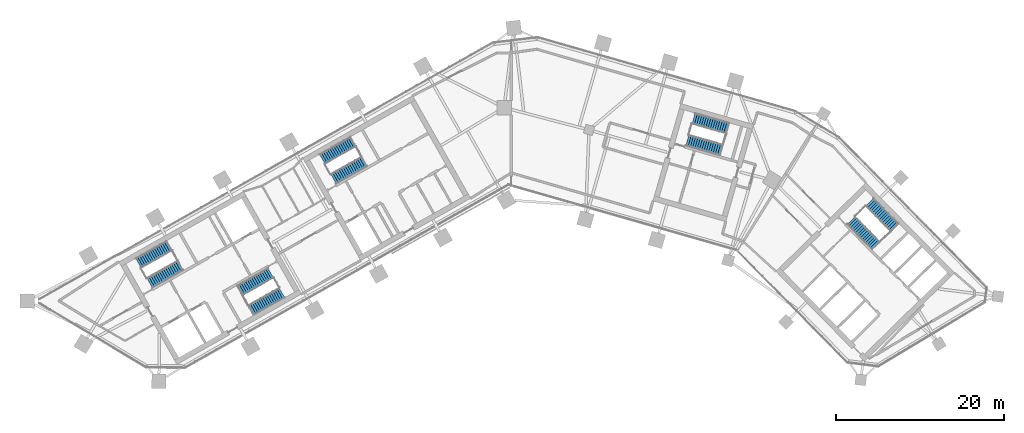
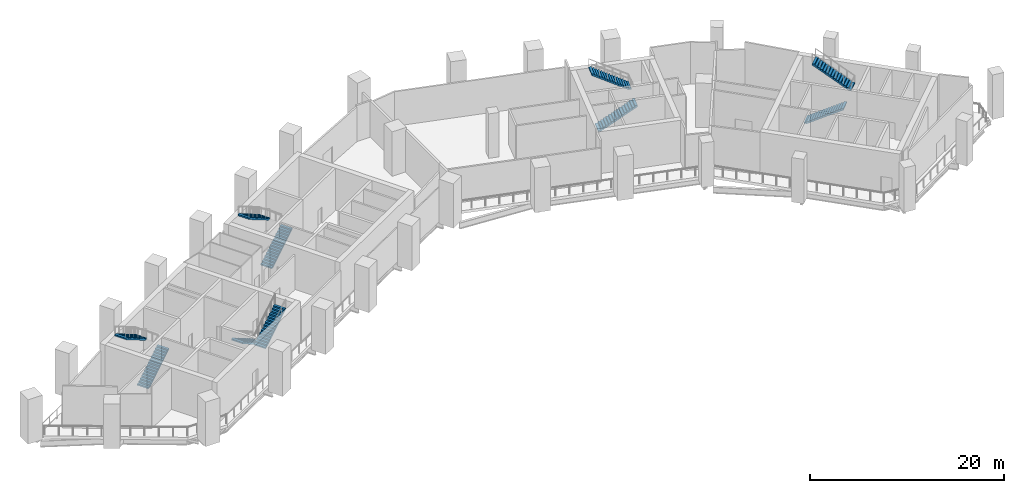
# One storey, part 8 of 11: 10 stair flights, 5 elements without a shape of their own.
"""IFC4 building model written with IfcOpenShell, lengths in metres."""

from ifc_helpers import new_model, si_unit, direction, frame, origin, place, context, subcontext, project, spatial, polyline, outline, extrude, material, type_object, element, aggregate, save


model = new_model("IFC4")

# Units and contexts
model_context = context("Model", 3, precision=1e-05, world=origin(), true_north=direction((0.0, 1.0)))
body_context = subcontext(model_context, "Body", "Model", "MODEL_VIEW")
ifc_project = project(units=[si_unit("LENGTHUNIT", "METRE"), si_unit("AREAUNIT", "SQUARE_METRE"), si_unit("VOLUMEUNIT", "CUBIC_METRE"), si_unit("PLANEANGLEUNIT", "RADIAN"), si_unit("MASSUNIT", "GRAM", prefix="KILO")], contexts=[model_context])

# Site, building, storey
site_placement = place(None, origin())
site = spatial("IfcSite", under=ifc_project, at=site_placement, CompositionType="ELEMENT")
building_placement = place(site_placement, origin())
building = spatial("IfcBuilding", under=site, at=building_placement, Name="Binnacle Exchange Tower", CompositionType="ELEMENT")
storey_placement = place(building_placement, frame((0.0, 0.0, 91.5)))
storey = spatial("IfcBuildingStorey", under=building, at=storey_placement, Name="L18", CompositionType="ELEMENT", Elevation=91.5)

# Stair, stair flights
ifc_material = material(Name="Concrete C35/45", Category="concrete")
stair_type = type_object("IfcStairType", Name="STAIR 32 RISERS 175", PredefinedType="HALF_TURN_STAIR", material=ifc_material)
stair_1_placement = place(storey_placement, origin())
stair_1 = element("IfcStair", 1, at=stair_1_placement, inside=storey, type_object=stair_type, Name="L18 Escape stair A1", PredefinedType="HALF_TURN_STAIR")
stair_flight_type = type_object("IfcStairFlightType", Name="STAIR FLIGHT 175X280", PredefinedType="STRAIGHT", material=ifc_material)
stair_flight_1_placement = place(storey_placement, frame((-42.9541015625, 39.17333984375, 0.0), z_axis=(0.0, 0.0, 1.0), x_axis=(0.870355584213, 0.492423757581, 0.0)))
stair_flight_1 = element("IfcStairFlight", 2, at=stair_flight_1_placement, type_object=stair_flight_type, Name="STA1 flight 1", NumberOfRisers=16, NumberOfTreads=15, PredefinedType="STRAIGHT", RiserHeight=0.175, TreadLength=0.28, context=body_context, shape_type="SweptSolid", body=[
    extrude(outline(polyline([(0.0, 0.0), (0.0, 0.175048828125), (0.280029296875, 0.175048828125), (0.280029296875, 0.35009765625), (0.56005859375, 0.35009765625), (0.56005859375, 0.52490234375), (0.840087890625, 0.52490234375), (0.840087890625, 0.699951171875), (1.1201171875, 0.699951171875), (1.1201171875, 0.875), (1.39990234375, 0.875), (1.39990234375, 1.050048828125), (1.679931640625, 1.050048828125), (1.679931640625, 1.22509765625), (1.9599609375, 1.22509765625), (1.9599609375, 1.39990234375), (2.239990234375, 1.39990234375), (2.239990234375, 1.574951171875), (2.52001953125, 1.574951171875), (2.52001953125, 1.75), (2.800048828125, 1.75), (2.800048828125, 1.925048828125), (3.080078125, 1.925048828125), (3.080078125, 2.10009765625), (3.360107421875, 2.10009765625), (3.360107421875, 2.27490234375), (3.639892578125, 2.27490234375), (3.639892578125, 2.449951171875), (3.919921875, 2.449951171875), (3.919921875, 2.625), (4.199951171875, 2.625), (4.199951171875, 2.800048828125), (4.199951171875, 2.4482421875), (0.28271484375, 0.0), (0.0, 0.0)])), frame((0.0, 0.675048828125, 0.0), z_axis=(0.0, -1.0, 0.0), x_axis=(1.0, 0.0, 0.0)), (0.0, 0.0, 1.0), 1.35009765625),
])
stair_flight_2_placement = place(storey_placement, frame((-40.628173828125, 43.591552734375, 2.800048828125), z_axis=(0.0, 0.0, 1.0), x_axis=(-0.870355584213, -0.492423757581, 0.0)))
stair_flight_2 = element("IfcStairFlight", 3, at=stair_flight_2_placement, type_object=stair_flight_type, Name="STA1 flight 2", NumberOfRisers=16, NumberOfTreads=15, PredefinedType="STRAIGHT", RiserHeight=0.175, TreadLength=0.28, context=body_context, shape_type="SweptSolid", body=[
    extrude(outline(polyline([(0.0, 0.0), (0.0, 0.175048828125), (0.280029296875, 0.175048828125), (0.280029296875, 0.35009765625), (0.56005859375, 0.35009765625), (0.56005859375, 0.52490234375), (0.840087890625, 0.52490234375), (0.840087890625, 0.699951171875), (1.1201171875, 0.699951171875), (1.1201171875, 0.875), (1.39990234375, 0.875), (1.39990234375, 1.050048828125), (1.679931640625, 1.050048828125), (1.679931640625, 1.22509765625), (1.9599609375, 1.22509765625), (1.9599609375, 1.39990234375), (2.239990234375, 1.39990234375), (2.239990234375, 1.574951171875), (2.52001953125, 1.574951171875), (2.52001953125, 1.75), (2.800048828125, 1.75), (2.800048828125, 1.925048828125), (3.080078125, 1.925048828125), (3.080078125, 2.10009765625), (3.360107421875, 2.10009765625), (3.360107421875, 2.27490234375), (3.639892578125, 2.27490234375), (3.639892578125, 2.449951171875), (3.919921875, 2.449951171875), (3.919921875, 2.625), (4.199951171875, 2.625), (4.199951171875, 2.800048828125), (4.199951171875, 2.4482421875), (0.28271484375, 0.0), (0.0, 0.0)])), frame((0.0, 0.675048828125, 0.0), z_axis=(0.0, -1.0, 0.0), x_axis=(1.0, 0.0, 0.0)), (0.0, 0.0, 1.0), 1.35009765625),
])
aggregate(stair_1, [stair_flight_1, stair_flight_2])

stair_2_placement = place(storey_placement, origin())
stair_2 = element("IfcStair", 4, at=stair_2_placement, inside=storey, type_object=stair_type, Name="L18 Escape stair A2", PredefinedType="HALF_TURN_STAIR")
stair_flight_3_placement = place(storey_placement, frame((-28.5732421875, 40.3583984375, 0.0), z_axis=(0.0, 0.0, 1.0), x_axis=(-0.870355584213, -0.492423757581, 0.0)))
stair_flight_3 = element("IfcStairFlight", 5, at=stair_flight_3_placement, type_object=stair_flight_type, Name="STA2 flight 1", NumberOfRisers=16, NumberOfTreads=15, PredefinedType="STRAIGHT", RiserHeight=0.175, TreadLength=0.28, context=body_context, shape_type="SweptSolid", body=[
    extrude(outline(polyline([(0.0, 0.0), (0.0, 0.175048828125), (0.280029296875, 0.175048828125), (0.280029296875, 0.35009765625), (0.56005859375, 0.35009765625), (0.56005859375, 0.52490234375), (0.840087890625, 0.52490234375), (0.840087890625, 0.699951171875), (1.1201171875, 0.699951171875), (1.1201171875, 0.875), (1.39990234375, 0.875), (1.39990234375, 1.050048828125), (1.679931640625, 1.050048828125), (1.679931640625, 1.22509765625), (1.9599609375, 1.22509765625), (1.9599609375, 1.39990234375), (2.239990234375, 1.39990234375), (2.239990234375, 1.574951171875), (2.52001953125, 1.574951171875), (2.52001953125, 1.75), (2.800048828125, 1.75), (2.800048828125, 1.925048828125), (3.080078125, 1.925048828125), (3.080078125, 2.10009765625), (3.360107421875, 2.10009765625), (3.360107421875, 2.27490234375), (3.639892578125, 2.27490234375), (3.639892578125, 2.449951171875), (3.919921875, 2.449951171875), (3.919921875, 2.625), (4.199951171875, 2.625), (4.199951171875, 2.800048828125), (4.199951171875, 2.4482421875), (0.28271484375, 0.0), (0.0, 0.0)])), frame((0.0, 0.675048828125, 0.0), z_axis=(0.0, -1.0, 0.0), x_axis=(1.0, 0.0, 0.0)), (0.0, 0.0, 1.0), 1.35009765625),
])
stair_flight_4_placement = place(storey_placement, frame((-30.899169921875, 35.940185546875, 2.800048828125), z_axis=(0.0, 0.0, 1.0), x_axis=(0.870355584213, 0.492423757581, 0.0)))
stair_flight_4 = element("IfcStairFlight", 6, at=stair_flight_4_placement, type_object=stair_flight_type, Name="STA2 flight 2", NumberOfRisers=16, NumberOfTreads=15, PredefinedType="STRAIGHT", RiserHeight=0.175, TreadLength=0.28, context=body_context, shape_type="SweptSolid", body=[
    extrude(outline(polyline([(0.0, 0.0), (0.0, 0.175048828125), (0.280029296875, 0.175048828125), (0.280029296875, 0.35009765625), (0.56005859375, 0.35009765625), (0.56005859375, 0.52490234375), (0.840087890625, 0.52490234375), (0.840087890625, 0.699951171875), (1.1201171875, 0.699951171875), (1.1201171875, 0.875), (1.39990234375, 0.875), (1.39990234375, 1.050048828125), (1.679931640625, 1.050048828125), (1.679931640625, 1.22509765625), (1.9599609375, 1.22509765625), (1.9599609375, 1.39990234375), (2.239990234375, 1.39990234375), (2.239990234375, 1.574951171875), (2.52001953125, 1.574951171875), (2.52001953125, 1.75), (2.800048828125, 1.75), (2.800048828125, 1.925048828125), (3.080078125, 1.925048828125), (3.080078125, 2.10009765625), (3.360107421875, 2.10009765625), (3.360107421875, 2.27490234375), (3.639892578125, 2.27490234375), (3.639892578125, 2.449951171875), (3.919921875, 2.449951171875), (3.919921875, 2.625), (4.199951171875, 2.625), (4.199951171875, 2.800048828125), (4.199951171875, 2.4482421875), (0.28271484375, 0.0), (0.0, 0.0)])), frame((0.0, 0.675048828125, 0.0), z_axis=(0.0, -1.0, 0.0), x_axis=(1.0, 0.0, 0.0)), (0.0, 0.0, 1.0), 1.35009765625),
])
aggregate(stair_2, [stair_flight_3, stair_flight_4])

stair_3_placement = place(storey_placement, origin())
stair_3 = element("IfcStair", 7, at=stair_3_placement, inside=storey, type_object=stair_type, Name="L18 Escape stair B1", PredefinedType="HALF_TURN_STAIR")
stair_flight_5_placement = place(storey_placement, frame((40.376708984375, 46.608642578125, 0.0), z_axis=(0.0, 0.0, 1.0), x_axis=(0.70090935144, -0.713250363522, 0.0)))
stair_flight_5 = element("IfcStairFlight", 8, at=stair_flight_5_placement, type_object=stair_flight_type, Name="STB1 flight 1", NumberOfRisers=16, NumberOfTreads=15, PredefinedType="STRAIGHT", RiserHeight=0.175, TreadLength=0.28, context=body_context, shape_type="SweptSolid", body=[
    extrude(outline(polyline([(0.0, 0.0), (0.0, 0.175048828125), (0.280029296875, 0.175048828125), (0.280029296875, 0.35009765625), (0.56005859375, 0.35009765625), (0.56005859375, 0.52490234375), (0.840087890625, 0.52490234375), (0.840087890625, 0.699951171875), (1.1201171875, 0.699951171875), (1.1201171875, 0.875), (1.39990234375, 0.875), (1.39990234375, 1.050048828125), (1.679931640625, 1.050048828125), (1.679931640625, 1.22509765625), (1.9599609375, 1.22509765625), (1.9599609375, 1.39990234375), (2.239990234375, 1.39990234375), (2.239990234375, 1.574951171875), (2.52001953125, 1.574951171875), (2.52001953125, 1.75), (2.800048828125, 1.75), (2.800048828125, 1.925048828125), (3.080078125, 1.925048828125), (3.080078125, 2.10009765625), (3.360107421875, 2.10009765625), (3.360107421875, 2.27490234375), (3.639892578125, 2.27490234375), (3.639892578125, 2.449951171875), (3.919921875, 2.449951171875), (3.919921875, 2.625), (4.199951171875, 2.625), (4.199951171875, 2.800048828125), (4.199951171875, 2.4482421875), (0.28271484375, 0.0), (0.0, 0.0)])), frame((0.0, 0.675048828125, 0.0), z_axis=(0.0, -1.0, 0.0), x_axis=(1.0, 0.0, 0.0)), (0.0, 0.0, 1.0), 1.35009765625),
])
stair_flight_6_placement = place(storey_placement, frame((45.53173828125, 45.785888671875, 2.800048828125), z_axis=(0.0, 0.0, 1.0), x_axis=(-0.70090935144, 0.713250363522, 0.0)))
stair_flight_6 = element("IfcStairFlight", 9, at=stair_flight_6_placement, type_object=stair_flight_type, Name="STB1 flight 2", NumberOfRisers=16, NumberOfTreads=15, PredefinedType="STRAIGHT", RiserHeight=0.175, TreadLength=0.28, context=body_context, shape_type="SweptSolid", body=[
    extrude(outline(polyline([(0.0, 0.0), (0.0, 0.175048828125), (0.280029296875, 0.175048828125), (0.280029296875, 0.35009765625), (0.56005859375, 0.35009765625), (0.56005859375, 0.52490234375), (0.840087890625, 0.52490234375), (0.840087890625, 0.699951171875), (1.1201171875, 0.699951171875), (1.1201171875, 0.875), (1.39990234375, 0.875), (1.39990234375, 1.050048828125), (1.679931640625, 1.050048828125), (1.679931640625, 1.22509765625), (1.9599609375, 1.22509765625), (1.9599609375, 1.39990234375), (2.239990234375, 1.39990234375), (2.239990234375, 1.574951171875), (2.52001953125, 1.574951171875), (2.52001953125, 1.75), (2.800048828125, 1.75), (2.800048828125, 1.925048828125), (3.080078125, 1.925048828125), (3.080078125, 2.10009765625), (3.360107421875, 2.10009765625), (3.360107421875, 2.27490234375), (3.639892578125, 2.27490234375), (3.639892578125, 2.449951171875), (3.919921875, 2.449951171875), (3.919921875, 2.625), (4.199951171875, 2.625), (4.199951171875, 2.800048828125), (4.199951171875, 2.4482421875), (0.28271484375, 0.0), (0.0, 0.0)])), frame((0.0, 0.675048828125, 0.0), z_axis=(0.0, -1.0, 0.0), x_axis=(1.0, 0.0, 0.0)), (0.0, 0.0, 1.0), 1.35009765625),
])
aggregate(stair_3, [stair_flight_5, stair_flight_6])

stair_4_placement = place(storey_placement, origin())
stair_4 = element("IfcStair", 10, at=stair_4_placement, inside=storey, type_object=stair_type, Name="L18 Escape stair C1", PredefinedType="HALF_TURN_STAIR")
stair_flight_7_placement = place(storey_placement, frame((-21.115966796875, 51.528564453125, 0.0), z_axis=(0.0, 0.0, 1.0), x_axis=(0.870355584213, 0.492423757581, 0.0)))
stair_flight_7 = element("IfcStairFlight", 11, at=stair_flight_7_placement, type_object=stair_flight_type, Name="STC1 flight 1", NumberOfRisers=16, NumberOfTreads=15, PredefinedType="STRAIGHT", RiserHeight=0.175, TreadLength=0.28, context=body_context, shape_type="SweptSolid", body=[
    extrude(outline(polyline([(0.0, 0.0), (0.0, 0.175048828125), (0.280029296875, 0.175048828125), (0.280029296875, 0.35009765625), (0.56005859375, 0.35009765625), (0.56005859375, 0.52490234375), (0.840087890625, 0.52490234375), (0.840087890625, 0.699951171875), (1.1201171875, 0.699951171875), (1.1201171875, 0.875), (1.39990234375, 0.875), (1.39990234375, 1.050048828125), (1.679931640625, 1.050048828125), (1.679931640625, 1.22509765625), (1.9599609375, 1.22509765625), (1.9599609375, 1.39990234375), (2.239990234375, 1.39990234375), (2.239990234375, 1.574951171875), (2.52001953125, 1.574951171875), (2.52001953125, 1.75), (2.800048828125, 1.75), (2.800048828125, 1.925048828125), (3.080078125, 1.925048828125), (3.080078125, 2.10009765625), (3.360107421875, 2.10009765625), (3.360107421875, 2.27490234375), (3.639892578125, 2.27490234375), (3.639892578125, 2.449951171875), (3.919921875, 2.449951171875), (3.919921875, 2.625), (4.199951171875, 2.625), (4.199951171875, 2.800048828125), (4.199951171875, 2.4482421875), (0.28271484375, 0.0), (0.0, 0.0)])), frame((0.0, 0.675048828125, 0.0), z_axis=(0.0, -1.0, 0.0), x_axis=(1.0, 0.0, 0.0)), (0.0, 0.0, 1.0), 1.35009765625),
])
stair_flight_8_placement = place(storey_placement, frame((-18.7900390625, 55.94677734375, 2.800048828125), z_axis=(0.0, 0.0, 1.0), x_axis=(-0.870355584213, -0.492423757581, 0.0)))
stair_flight_8 = element("IfcStairFlight", 12, at=stair_flight_8_placement, type_object=stair_flight_type, Name="STC1 flight 2", NumberOfRisers=16, NumberOfTreads=15, PredefinedType="STRAIGHT", RiserHeight=0.175, TreadLength=0.28, context=body_context, shape_type="SweptSolid", body=[
    extrude(outline(polyline([(0.0, 0.0), (0.0, 0.175048828125), (0.280029296875, 0.175048828125), (0.280029296875, 0.35009765625), (0.56005859375, 0.35009765625), (0.56005859375, 0.52490234375), (0.840087890625, 0.52490234375), (0.840087890625, 0.699951171875), (1.1201171875, 0.699951171875), (1.1201171875, 0.875), (1.39990234375, 0.875), (1.39990234375, 1.050048828125), (1.679931640625, 1.050048828125), (1.679931640625, 1.22509765625), (1.9599609375, 1.22509765625), (1.9599609375, 1.39990234375), (2.239990234375, 1.39990234375), (2.239990234375, 1.574951171875), (2.52001953125, 1.574951171875), (2.52001953125, 1.75), (2.800048828125, 1.75), (2.800048828125, 1.925048828125), (3.080078125, 1.925048828125), (3.080078125, 2.10009765625), (3.360107421875, 2.10009765625), (3.360107421875, 2.27490234375), (3.639892578125, 2.27490234375), (3.639892578125, 2.449951171875), (3.919921875, 2.449951171875), (3.919921875, 2.625), (4.199951171875, 2.625), (4.199951171875, 2.800048828125), (4.199951171875, 2.4482421875), (0.28271484375, 0.0), (0.0, 0.0)])), frame((0.0, 0.675048828125, 0.0), z_axis=(0.0, -1.0, 0.0), x_axis=(1.0, 0.0, 0.0)), (0.0, 0.0, 1.0), 1.35009765625),
])
aggregate(stair_4, [stair_flight_7, stair_flight_8])

stair_5_placement = place(storey_placement, origin())
stair_5 = element("IfcStair", 13, at=stair_5_placement, inside=storey, type_object=stair_type, Name="L18 Escape stair D1", PredefinedType="HALF_TURN_STAIR")
stair_flight_9_placement = place(storey_placement, frame((20.914306640625, 56.109619140625, 0.0), z_axis=(0.0, 0.0, 1.0), x_axis=(0.961261811397, -0.275636953165, 0.0)))
stair_flight_9 = element("IfcStairFlight", 14, at=stair_flight_9_placement, type_object=stair_flight_type, Name="STD1 flight 1", NumberOfRisers=16, NumberOfTreads=15, PredefinedType="STRAIGHT", RiserHeight=0.175, TreadLength=0.28, context=body_context, shape_type="SweptSolid", body=[
    extrude(outline(polyline([(0.0, 0.0), (0.0, 0.175048828125), (0.280029296875, 0.175048828125), (0.280029296875, 0.35009765625), (0.56005859375, 0.35009765625), (0.56005859375, 0.52490234375), (0.840087890625, 0.52490234375), (0.840087890625, 0.699951171875), (1.1201171875, 0.699951171875), (1.1201171875, 0.875), (1.39990234375, 0.875), (1.39990234375, 1.050048828125), (1.679931640625, 1.050048828125), (1.679931640625, 1.22509765625), (1.9599609375, 1.22509765625), (1.9599609375, 1.39990234375), (2.239990234375, 1.39990234375), (2.239990234375, 1.574951171875), (2.52001953125, 1.574951171875), (2.52001953125, 1.75), (2.800048828125, 1.75), (2.800048828125, 1.925048828125), (3.080078125, 1.925048828125), (3.080078125, 2.10009765625), (3.360107421875, 2.10009765625), (3.360107421875, 2.27490234375), (3.639892578125, 2.27490234375), (3.639892578125, 2.449951171875), (3.919921875, 2.449951171875), (3.919921875, 2.625), (4.199951171875, 2.625), (4.199951171875, 2.800048828125), (4.199951171875, 2.4482421875), (0.28271484375, 0.0), (0.0, 0.0)])), frame((0.0, 0.675048828125, 0.0), z_axis=(0.0, -1.0, 0.0), x_axis=(1.0, 0.0, 0.0)), (0.0, 0.0, 1.0), 1.35009765625),
])
stair_flight_10_placement = place(storey_placement, frame((25.69580078125, 57.54736328125, 2.800048828125), z_axis=(0.0, 0.0, 1.0), x_axis=(-0.961261811397, 0.275636953165, 0.0)))
stair_flight_10 = element("IfcStairFlight", 15, at=stair_flight_10_placement, type_object=stair_flight_type, Name="STD1 flight 2", NumberOfRisers=16, NumberOfTreads=15, PredefinedType="STRAIGHT", RiserHeight=0.175, TreadLength=0.28, context=body_context, shape_type="SweptSolid", body=[
    extrude(outline(polyline([(0.0, 0.0), (0.0, 0.175048828125), (0.280029296875, 0.175048828125), (0.280029296875, 0.35009765625), (0.56005859375, 0.35009765625), (0.56005859375, 0.52490234375), (0.840087890625, 0.52490234375), (0.840087890625, 0.699951171875), (1.1201171875, 0.699951171875), (1.1201171875, 0.875), (1.39990234375, 0.875), (1.39990234375, 1.050048828125), (1.679931640625, 1.050048828125), (1.679931640625, 1.22509765625), (1.9599609375, 1.22509765625), (1.9599609375, 1.39990234375), (2.239990234375, 1.39990234375), (2.239990234375, 1.574951171875), (2.52001953125, 1.574951171875), (2.52001953125, 1.75), (2.800048828125, 1.75), (2.800048828125, 1.925048828125), (3.080078125, 1.925048828125), (3.080078125, 2.10009765625), (3.360107421875, 2.10009765625), (3.360107421875, 2.27490234375), (3.639892578125, 2.27490234375), (3.639892578125, 2.449951171875), (3.919921875, 2.449951171875), (3.919921875, 2.625), (4.199951171875, 2.625), (4.199951171875, 2.800048828125), (4.199951171875, 2.4482421875), (0.28271484375, 0.0), (0.0, 0.0)])), frame((0.0, 0.675048828125, 0.0), z_axis=(0.0, -1.0, 0.0), x_axis=(1.0, 0.0, 0.0)), (0.0, 0.0, 1.0), 1.35009765625),
])
aggregate(stair_5, [stair_flight_9, stair_flight_10])

save(model, "model.ifc")
